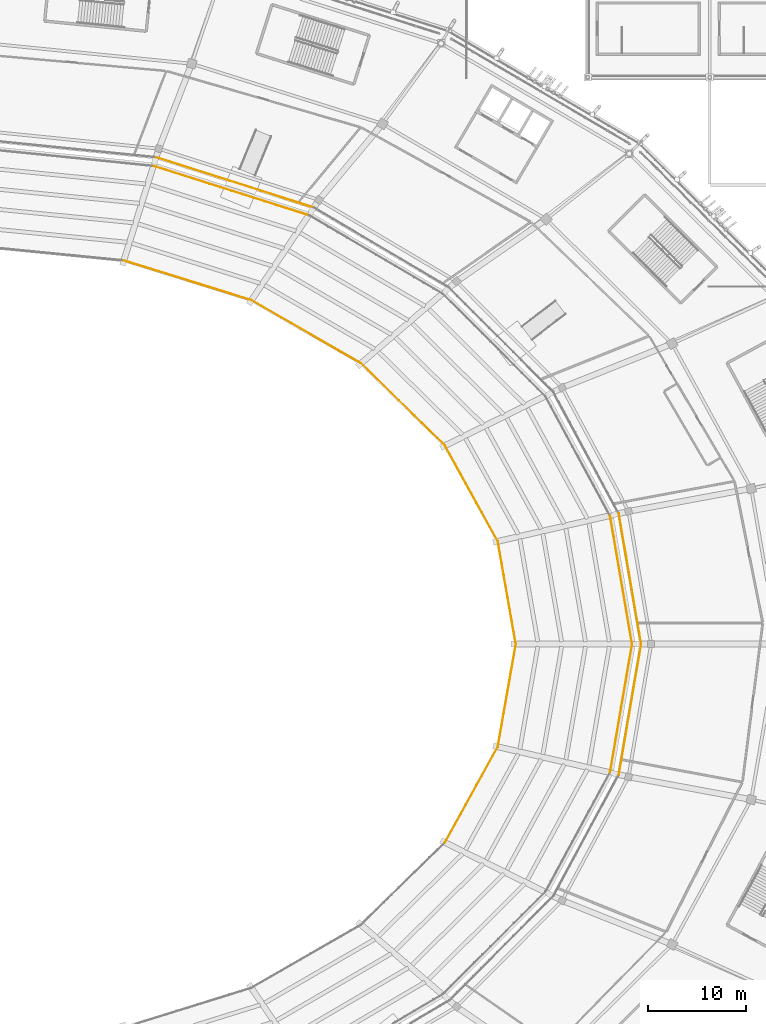
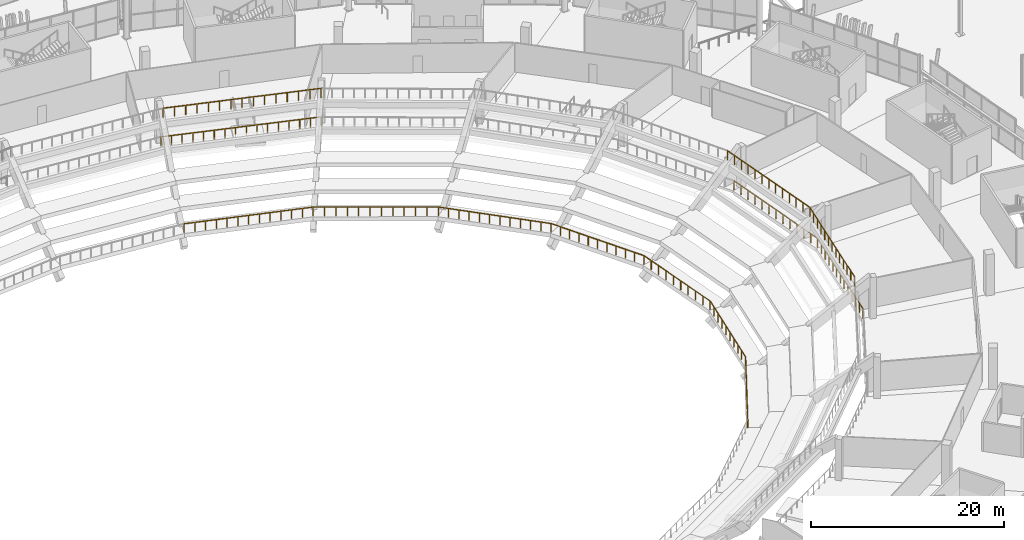
# One storey, part 165 of 178: 13 railings.
"""IFC4 building model written with IfcOpenShell, lengths in metres."""

from ifc_helpers import new_model, si_unit, direction, frame, origin, origin_2d, place, context, subcontext, project, spatial, rectangle, extrude, material, type_object, element, save


model = new_model("IFC4")

# Units and contexts
model_context = context("Model", 3, precision=1e-05, world=origin(), true_north=direction((0.0, 1.0)))
body_context = subcontext(model_context, "Body", "Model", "MODEL_VIEW")
ifc_project = project(units=[si_unit("LENGTHUNIT", "METRE"), si_unit("AREAUNIT", "SQUARE_METRE"), si_unit("VOLUMEUNIT", "CUBIC_METRE"), si_unit("PLANEANGLEUNIT", "RADIAN"), si_unit("MASSUNIT", "GRAM", prefix="KILO")], contexts=[model_context])

# Site, building, storey
site_placement = place(None, origin())
site = spatial("IfcSite", under=ifc_project, at=site_placement, CompositionType="ELEMENT")
building_placement = place(site_placement, origin())
building = spatial("IfcBuilding", under=site, at=building_placement, Name="Zlatoyarsky Gate Stadium", CompositionType="ELEMENT")
storey_placement = place(building_placement, frame((0.0, 0.0, 5.39990234375)))
storey = spatial("IfcBuildingStorey", under=building, at=storey_placement, Name="L01", CompositionType="ELEMENT", Elevation=5.39990234375)

# Railings
ifc_material_1 = material(Name="Galvanised steel sightline guardrail", Category="steel")
railing_type_1 = type_object("IfcRailingType", Name="BOWL FRONT SIGHTLINE GUARDRAIL 1150", PredefinedType="GUARDRAIL", material=ifc_material_1)
railing_1_placement = place(storey_placement, frame((165.14990234375, 80.0, -3.349853515625)))
element("IfcRailing", 1, at=railing_1_placement, inside=storey, type_object=railing_type_1, Name="Lower bowl front guardrail 00", PredefinedType="GUARDRAIL", context=body_context, shape_type="SweptSolid", body=[
    extrude(rectangle(XDim=0.048095703125, YDim=0.048095703125, at=origin_2d()), frame((0.0, 0.0, 1.1259765625), z_axis=(-0.172725175723, 0.984970057246, 0.0), x_axis=(-0.984970057246, -0.172725175723, 0.0)), (0.0, 0.0, 1.0), 10.681640625),
    extrude(rectangle(XDim=0.0419921875, YDim=0.0419921875, at=origin_2d()), origin(), (0.0, 0.0, 1.0), 1.101806640625),
    extrude(rectangle(XDim=0.0419921875, YDim=0.0419921875, at=origin_2d()), frame((-0.205078125, 1.1689453125, 0.0)), (0.0, 0.0, 1.0), 1.101806640625),
    extrude(rectangle(XDim=0.0419921875, YDim=0.0419921875, at=origin_2d()), frame((-0.409912109375, 2.337890625, 0.0)), (0.0, 0.0, 1.0), 1.101806640625),
    extrude(rectangle(XDim=0.0419921875, YDim=0.0419921875, at=origin_2d()), frame((-0.614990234375, 3.507080078125, 0.0)), (0.0, 0.0, 1.0), 1.101806640625),
    extrude(rectangle(XDim=0.0419921875, YDim=0.0419921875, at=origin_2d()), frame((-0.820068359375, 4.676025390625, 0.0)), (0.0, 0.0, 1.0), 1.101806640625),
    extrude(rectangle(XDim=0.0419921875, YDim=0.0419921875, at=origin_2d()), frame((-1.02490234375, 5.844970703125, 0.0)), (0.0, 0.0, 1.0), 1.101806640625),
    extrude(rectangle(XDim=0.0419921875, YDim=0.0419921875, at=origin_2d()), frame((-1.22998046875, 7.013916015625, 0.0)), (0.0, 0.0, 1.0), 1.101806640625),
    extrude(rectangle(XDim=0.0419921875, YDim=0.0419921875, at=origin_2d()), frame((-1.43505859375, 8.18310546875, 0.0)), (0.0, 0.0, 1.0), 1.101806640625),
    extrude(rectangle(XDim=0.0419921875, YDim=0.0419921875, at=origin_2d()), frame((-1.639892578125, 9.35205078125, 0.0)), (0.0, 0.0, 1.0), 1.101806640625),
    extrude(rectangle(XDim=0.0419921875, YDim=0.0419921875, at=origin_2d()), frame((-1.844970703125, 10.52099609375, 0.0)), (0.0, 0.0, 1.0), 1.101806640625),
])
railing_2_placement = place(storey_placement, frame((163.304931640625, 90.52099609375, -3.349853515625)))
element("IfcRailing", 2, at=railing_2_placement, inside=storey, type_object=railing_type_1, Name="Lower bowl front guardrail 01", PredefinedType="GUARDRAIL", context=body_context, shape_type="SweptSolid", body=[
    extrude(rectangle(XDim=0.048095703125, YDim=0.048095703125, at=origin_2d()), frame((0.0, 0.0, 1.1259765625), z_axis=(-0.483117689449, 0.875555422656, 0.0), x_axis=(-0.875555422656, -0.483117689449, 0.0)), (0.0, 0.0, 1.0), 11.197509765625),
    extrude(rectangle(XDim=0.0419921875, YDim=0.0419921875, at=origin_2d()), origin(), (0.0, 0.0, 1.0), 1.101806640625),
    extrude(rectangle(XDim=0.0419921875, YDim=0.0419921875, at=origin_2d()), frame((-0.541015625, 0.98046875, 0.0)), (0.0, 0.0, 1.0), 1.101806640625),
    extrude(rectangle(XDim=0.0419921875, YDim=0.0419921875, at=origin_2d()), frame((-1.08203125, 1.960693359375, 0.0)), (0.0, 0.0, 1.0), 1.101806640625),
    extrude(rectangle(XDim=0.0419921875, YDim=0.0419921875, at=origin_2d()), frame((-1.622802734375, 2.941162109375, 0.0)), (0.0, 0.0, 1.0), 1.101806640625),
    extrude(rectangle(XDim=0.0419921875, YDim=0.0419921875, at=origin_2d()), frame((-2.163818359375, 3.921630859375, 0.0)), (0.0, 0.0, 1.0), 1.101806640625),
    extrude(rectangle(XDim=0.0419921875, YDim=0.0419921875, at=origin_2d()), frame((-2.704833984375, 4.90185546875, 0.0)), (0.0, 0.0, 1.0), 1.101806640625),
    extrude(rectangle(XDim=0.0419921875, YDim=0.0419921875, at=origin_2d()), frame((-3.245849609375, 5.88232421875, 0.0)), (0.0, 0.0, 1.0), 1.101806640625),
    extrude(rectangle(XDim=0.0419921875, YDim=0.0419921875, at=origin_2d()), frame((-3.786865234375, 6.86279296875, 0.0)), (0.0, 0.0, 1.0), 1.101806640625),
    extrude(rectangle(XDim=0.0419921875, YDim=0.0419921875, at=origin_2d()), frame((-4.32763671875, 7.84326171875, 0.0)), (0.0, 0.0, 1.0), 1.101806640625),
    extrude(rectangle(XDim=0.0419921875, YDim=0.0419921875, at=origin_2d()), frame((-4.86865234375, 8.823486328125, 0.0)), (0.0, 0.0, 1.0), 1.101806640625),
    extrude(rectangle(XDim=0.0419921875, YDim=0.0419921875, at=origin_2d()), frame((-5.40966796875, 9.803955078125, 0.0)), (0.0, 0.0, 1.0), 1.101806640625),
])
railing_3_placement = place(storey_placement, frame((157.895263671875, 100.324951171875, -3.349853515625)))
element("IfcRailing", 3, at=railing_3_placement, inside=storey, type_object=railing_type_1, Name="Lower bowl front guardrail 02", PredefinedType="GUARDRAIL", context=body_context, shape_type="SweptSolid", body=[
    extrude(rectangle(XDim=0.048095703125, YDim=0.048095703125, at=origin_2d()), frame((0.0, 0.0, 1.1259765625), z_axis=(-0.714811106108, 0.699317583495, 0.0), x_axis=(-0.699317583495, -0.714811106108, 0.0)), (0.0, 0.0, 1.0), 12.038818359375),
    extrude(rectangle(XDim=0.0419921875, YDim=0.0419921875, at=origin_2d()), origin(), (0.0, 0.0, 1.0), 1.101806640625),
    extrude(rectangle(XDim=0.0419921875, YDim=0.0419921875, at=origin_2d()), frame((-0.7822265625, 0.765380859375, 0.0)), (0.0, 0.0, 1.0), 1.101806640625),
    extrude(rectangle(XDim=0.0419921875, YDim=0.0419921875, at=origin_2d()), frame((-1.564697265625, 1.53076171875, 0.0)), (0.0, 0.0, 1.0), 1.101806640625),
    extrude(rectangle(XDim=0.0419921875, YDim=0.0419921875, at=origin_2d()), frame((-2.346923828125, 2.296142578125, 0.0)), (0.0, 0.0, 1.0), 1.101806640625),
    extrude(rectangle(XDim=0.0419921875, YDim=0.0419921875, at=origin_2d()), frame((-3.129150390625, 3.0615234375, 0.0)), (0.0, 0.0, 1.0), 1.101806640625),
    extrude(rectangle(XDim=0.0419921875, YDim=0.0419921875, at=origin_2d()), frame((-3.91162109375, 3.826904296875, 0.0)), (0.0, 0.0, 1.0), 1.101806640625),
    extrude(rectangle(XDim=0.0419921875, YDim=0.0419921875, at=origin_2d()), frame((-4.69384765625, 4.592041015625, 0.0)), (0.0, 0.0, 1.0), 1.101806640625),
    extrude(rectangle(XDim=0.0419921875, YDim=0.0419921875, at=origin_2d()), frame((-5.476318359375, 5.357421875, 0.0)), (0.0, 0.0, 1.0), 1.101806640625),
    extrude(rectangle(XDim=0.0419921875, YDim=0.0419921875, at=origin_2d()), frame((-6.258544921875, 6.122802734375, 0.0)), (0.0, 0.0, 1.0), 1.101806640625),
    extrude(rectangle(XDim=0.0419921875, YDim=0.0419921875, at=origin_2d()), frame((-7.040771484375, 6.88818359375, 0.0)), (0.0, 0.0, 1.0), 1.101806640625),
    extrude(rectangle(XDim=0.0419921875, YDim=0.0419921875, at=origin_2d()), frame((-7.8232421875, 7.653564453125, 0.0)), (0.0, 0.0, 1.0), 1.101806640625),
    extrude(rectangle(XDim=0.0419921875, YDim=0.0419921875, at=origin_2d()), frame((-8.60546875, 8.4189453125, 0.0)), (0.0, 0.0, 1.0), 1.101806640625),
])
railing_4_placement = place(storey_placement, frame((149.289794921875, 108.743896484375, -3.349853515625)))
element("IfcRailing", 4, at=railing_4_placement, inside=storey, type_object=railing_type_1, Name="Lower bowl front guardrail 03", PredefinedType="GUARDRAIL", context=body_context, shape_type="SweptSolid", body=[
    extrude(rectangle(XDim=0.048095703125, YDim=0.048095703125, at=origin_2d()), frame((0.0, 0.0, 1.1259765625), z_axis=(-0.866524556925, 0.499134443057, 0.0), x_axis=(-0.499134443057, -0.866524556925, 0.0)), (0.0, 0.0, 1.0), 12.9423828125),
    extrude(rectangle(XDim=0.0419921875, YDim=0.0419921875, at=origin_2d()), origin(), (0.0, 0.0, 1.0), 1.101806640625),
    extrude(rectangle(XDim=0.0419921875, YDim=0.0419921875, at=origin_2d()), frame((-1.01953125, 0.587158203125, 0.0)), (0.0, 0.0, 1.0), 1.101806640625),
    extrude(rectangle(XDim=0.0419921875, YDim=0.0419921875, at=origin_2d()), frame((-2.0390625, 1.174560546875, 0.0)), (0.0, 0.0, 1.0), 1.101806640625),
    extrude(rectangle(XDim=0.0419921875, YDim=0.0419921875, at=origin_2d()), frame((-3.05859375, 1.76171875, 0.0)), (0.0, 0.0, 1.0), 1.101806640625),
    extrude(rectangle(XDim=0.0419921875, YDim=0.0419921875, at=origin_2d()), frame((-4.078125, 2.34912109375, 0.0)), (0.0, 0.0, 1.0), 1.101806640625),
    extrude(rectangle(XDim=0.0419921875, YDim=0.0419921875, at=origin_2d()), frame((-5.09765625, 2.936279296875, 0.0)), (0.0, 0.0, 1.0), 1.101806640625),
    extrude(rectangle(XDim=0.0419921875, YDim=0.0419921875, at=origin_2d()), frame((-6.1171875, 3.523681640625, 0.0)), (0.0, 0.0, 1.0), 1.101806640625),
    extrude(rectangle(XDim=0.0419921875, YDim=0.0419921875, at=origin_2d()), frame((-7.13671875, 4.11083984375, 0.0)), (0.0, 0.0, 1.0), 1.101806640625),
    extrude(rectangle(XDim=0.0419921875, YDim=0.0419921875, at=origin_2d()), frame((-8.15625, 4.6982421875, 0.0)), (0.0, 0.0, 1.0), 1.101806640625),
    extrude(rectangle(XDim=0.0419921875, YDim=0.0419921875, at=origin_2d()), frame((-9.17578125, 5.285400390625, 0.0)), (0.0, 0.0, 1.0), 1.101806640625),
    extrude(rectangle(XDim=0.0419921875, YDim=0.0419921875, at=origin_2d()), frame((-10.1953125, 5.872802734375, 0.0)), (0.0, 0.0, 1.0), 1.101806640625),
    extrude(rectangle(XDim=0.0419921875, YDim=0.0419921875, at=origin_2d()), frame((-11.21484375, 6.4599609375, 0.0)), (0.0, 0.0, 1.0), 1.101806640625),
])
railing_5_placement = place(storey_placement, frame((138.074951171875, 115.203857421875, -3.349853515625)))
element("IfcRailing", 5, at=railing_5_placement, inside=storey, type_object=railing_type_1, Name="Lower bowl front guardrail 04", PredefinedType="GUARDRAIL", context=body_context, shape_type="SweptSolid", body=[
    extrude(rectangle(XDim=0.048095703125, YDim=0.048095703125, at=origin_2d()), frame((0.0, 0.0, 1.1259765625), z_axis=(-0.954898625262, 0.296932004797, 0.0), x_axis=(-0.296932004797, -0.954898625262, 0.0)), (0.0, 0.0, 1.0), 13.6767578125),
    extrude(rectangle(XDim=0.0419921875, YDim=0.0419921875, at=origin_2d()), origin(), (0.0, 0.0, 1.0), 1.101806640625),
    extrude(rectangle(XDim=0.0419921875, YDim=0.0419921875, at=origin_2d()), frame((-1.08837890625, 0.33837890625, 0.0)), (0.0, 0.0, 1.0), 1.101806640625),
    extrude(rectangle(XDim=0.0419921875, YDim=0.0419921875, at=origin_2d()), frame((-2.1767578125, 0.6767578125, 0.0)), (0.0, 0.0, 1.0), 1.101806640625),
    extrude(rectangle(XDim=0.0419921875, YDim=0.0419921875, at=origin_2d()), frame((-3.264892578125, 1.01513671875, 0.0)), (0.0, 0.0, 1.0), 1.101806640625),
    extrude(rectangle(XDim=0.0419921875, YDim=0.0419921875, at=origin_2d()), frame((-4.353271484375, 1.353759765625, 0.0)), (0.0, 0.0, 1.0), 1.101806640625),
    extrude(rectangle(XDim=0.0419921875, YDim=0.0419921875, at=origin_2d()), frame((-5.441650390625, 1.692138671875, 0.0)), (0.0, 0.0, 1.0), 1.101806640625),
    extrude(rectangle(XDim=0.0419921875, YDim=0.0419921875, at=origin_2d()), frame((-6.52978515625, 2.030517578125, 0.0)), (0.0, 0.0, 1.0), 1.101806640625),
    extrude(rectangle(XDim=0.0419921875, YDim=0.0419921875, at=origin_2d()), frame((-7.6181640625, 2.368896484375, 0.0)), (0.0, 0.0, 1.0), 1.101806640625),
    extrude(rectangle(XDim=0.0419921875, YDim=0.0419921875, at=origin_2d()), frame((-8.70654296875, 2.707275390625, 0.0)), (0.0, 0.0, 1.0), 1.101806640625),
    extrude(rectangle(XDim=0.0419921875, YDim=0.0419921875, at=origin_2d()), frame((-9.794921875, 3.0458984375, 0.0)), (0.0, 0.0, 1.0), 1.101806640625),
    extrude(rectangle(XDim=0.0419921875, YDim=0.0419921875, at=origin_2d()), frame((-10.88330078125, 3.38427734375, 0.0)), (0.0, 0.0, 1.0), 1.101806640625),
    extrude(rectangle(XDim=0.0419921875, YDim=0.0419921875, at=origin_2d()), frame((-11.971435546875, 3.72265625, 0.0)), (0.0, 0.0, 1.0), 1.101806640625),
    extrude(rectangle(XDim=0.0419921875, YDim=0.0419921875, at=origin_2d()), frame((-13.059814453125, 4.06103515625, 0.0)), (0.0, 0.0, 1.0), 1.101806640625),
])
railing_6_placement = place(storey_placement, frame((157.895263671875, 59.675048828125, -3.349853515625)))
element("IfcRailing", 6, at=railing_6_placement, inside=storey, type_object=railing_type_1, Name="Lower bowl front guardrail 22", PredefinedType="GUARDRAIL", context=body_context, shape_type="SweptSolid", body=[
    extrude(rectangle(XDim=0.048095703125, YDim=0.048095703125, at=origin_2d()), frame((0.0, 0.0, 1.1259765625), z_axis=(0.483117689449, 0.875555422656, 0.0), x_axis=(-0.875555422656, 0.483117689449, 0.0)), (0.0, 0.0, 1.0), 11.197509765625),
    extrude(rectangle(XDim=0.0419921875, YDim=0.0419921875, at=origin_2d()), origin(), (0.0, 0.0, 1.0), 1.101806640625),
    extrude(rectangle(XDim=0.0419921875, YDim=0.0419921875, at=origin_2d()), frame((0.541015625, 0.98046875, 0.0)), (0.0, 0.0, 1.0), 1.101806640625),
    extrude(rectangle(XDim=0.0419921875, YDim=0.0419921875, at=origin_2d()), frame((1.08203125, 1.960693359375, 0.0)), (0.0, 0.0, 1.0), 1.101806640625),
    extrude(rectangle(XDim=0.0419921875, YDim=0.0419921875, at=origin_2d()), frame((1.622802734375, 2.941162109375, 0.0)), (0.0, 0.0, 1.0), 1.101806640625),
    extrude(rectangle(XDim=0.0419921875, YDim=0.0419921875, at=origin_2d()), frame((2.163818359375, 3.921630859375, 0.0)), (0.0, 0.0, 1.0), 1.101806640625),
    extrude(rectangle(XDim=0.0419921875, YDim=0.0419921875, at=origin_2d()), frame((2.704833984375, 4.90185546875, 0.0)), (0.0, 0.0, 1.0), 1.101806640625),
    extrude(rectangle(XDim=0.0419921875, YDim=0.0419921875, at=origin_2d()), frame((3.245849609375, 5.88232421875, 0.0)), (0.0, 0.0, 1.0), 1.101806640625),
    extrude(rectangle(XDim=0.0419921875, YDim=0.0419921875, at=origin_2d()), frame((3.786865234375, 6.86279296875, 0.0)), (0.0, 0.0, 1.0), 1.101806640625),
    extrude(rectangle(XDim=0.0419921875, YDim=0.0419921875, at=origin_2d()), frame((4.32763671875, 7.84326171875, 0.0)), (0.0, 0.0, 1.0), 1.101806640625),
    extrude(rectangle(XDim=0.0419921875, YDim=0.0419921875, at=origin_2d()), frame((4.86865234375, 8.823486328125, 0.0)), (0.0, 0.0, 1.0), 1.101806640625),
    extrude(rectangle(XDim=0.0419921875, YDim=0.0419921875, at=origin_2d()), frame((5.40966796875, 9.803955078125, 0.0)), (0.0, 0.0, 1.0), 1.101806640625),
])
railing_7_placement = place(storey_placement, frame((163.304931640625, 69.47900390625, -3.349853515625)))
element("IfcRailing", 7, at=railing_7_placement, inside=storey, type_object=railing_type_1, Name="Lower bowl front guardrail 23", PredefinedType="GUARDRAIL", context=body_context, shape_type="SweptSolid", body=[
    extrude(rectangle(XDim=0.048095703125, YDim=0.048095703125, at=origin_2d()), frame((0.0, 0.0, 1.1259765625), z_axis=(0.172725175723, 0.984970057246, 0.0), x_axis=(-0.984970057246, 0.172725175723, 0.0)), (0.0, 0.0, 1.0), 10.681640625),
    extrude(rectangle(XDim=0.0419921875, YDim=0.0419921875, at=origin_2d()), origin(), (0.0, 0.0, 1.0), 1.101806640625),
    extrude(rectangle(XDim=0.0419921875, YDim=0.0419921875, at=origin_2d()), frame((0.205078125, 1.1689453125, 0.0)), (0.0, 0.0, 1.0), 1.101806640625),
    extrude(rectangle(XDim=0.0419921875, YDim=0.0419921875, at=origin_2d()), frame((0.409912109375, 2.337890625, 0.0)), (0.0, 0.0, 1.0), 1.101806640625),
    extrude(rectangle(XDim=0.0419921875, YDim=0.0419921875, at=origin_2d()), frame((0.614990234375, 3.507080078125, 0.0)), (0.0, 0.0, 1.0), 1.101806640625),
    extrude(rectangle(XDim=0.0419921875, YDim=0.0419921875, at=origin_2d()), frame((0.820068359375, 4.676025390625, 0.0)), (0.0, 0.0, 1.0), 1.101806640625),
    extrude(rectangle(XDim=0.0419921875, YDim=0.0419921875, at=origin_2d()), frame((1.02490234375, 5.844970703125, 0.0)), (0.0, 0.0, 1.0), 1.101806640625),
    extrude(rectangle(XDim=0.0419921875, YDim=0.0419921875, at=origin_2d()), frame((1.22998046875, 7.013916015625, 0.0)), (0.0, 0.0, 1.0), 1.101806640625),
    extrude(rectangle(XDim=0.0419921875, YDim=0.0419921875, at=origin_2d()), frame((1.43505859375, 8.18310546875, 0.0)), (0.0, 0.0, 1.0), 1.101806640625),
    extrude(rectangle(XDim=0.0419921875, YDim=0.0419921875, at=origin_2d()), frame((1.639892578125, 9.35205078125, 0.0)), (0.0, 0.0, 1.0), 1.101806640625),
    extrude(rectangle(XDim=0.0419921875, YDim=0.0419921875, at=origin_2d()), frame((1.844970703125, 10.52099609375, 0.0)), (0.0, 0.0, 1.0), 1.101806640625),
])
ifc_material_2 = material(Name="Powder-coated steel tubular guardrail", Category="steel")
railing_type_2 = type_object("IfcRailingType", Name="CONCOURSE SLAB EDGE GUARDRAIL 1200", PredefinedType="GUARDRAIL", material=ifc_material_2)
railing_8_placement = place(storey_placement, frame((177.050048828125, 80.0, 4.25)))
element("IfcRailing", 8, at=railing_8_placement, inside=storey, type_object=railing_type_2, Name="Lower bowl back guardrail 00", PredefinedType="GUARDRAIL", context=body_context, shape_type="SweptSolid", body=[
    extrude(rectangle(XDim=0.048095703125, YDim=0.048095703125, at=origin_2d()), frame((0.0, 0.0, 1.17578125), z_axis=(-0.169215992546, 0.985578991186, 0.0), x_axis=(-0.985578991186, -0.169215992546, 0.0)), (0.0, 0.0, 1.0), 13.301025390625),
    extrude(rectangle(XDim=0.0419921875, YDim=0.0419921875, at=origin_2d()), origin(), (0.0, 0.0, 1.0), 1.15185546875),
    extrude(rectangle(XDim=0.0419921875, YDim=0.0419921875, at=origin_2d()), frame((-0.1875, 1.092529296875, 0.0)), (0.0, 0.0, 1.0), 1.15185546875),
    extrude(rectangle(XDim=0.0419921875, YDim=0.0419921875, at=origin_2d()), frame((-0.375, 2.184814453125, 0.0)), (0.0, 0.0, 1.0), 1.15185546875),
    extrude(rectangle(XDim=0.0419921875, YDim=0.0419921875, at=origin_2d()), frame((-0.562744140625, 3.27734375, 0.0)), (0.0, 0.0, 1.0), 1.15185546875),
    extrude(rectangle(XDim=0.0419921875, YDim=0.0419921875, at=origin_2d()), frame((-0.750244140625, 4.36962890625, 0.0)), (0.0, 0.0, 1.0), 1.15185546875),
    extrude(rectangle(XDim=0.0419921875, YDim=0.0419921875, at=origin_2d()), frame((-0.937744140625, 5.462158203125, 0.0)), (0.0, 0.0, 1.0), 1.15185546875),
    extrude(rectangle(XDim=0.0419921875, YDim=0.0419921875, at=origin_2d()), frame((-1.12548828125, 6.5546875, 0.0)), (0.0, 0.0, 1.0), 1.15185546875),
    extrude(rectangle(XDim=0.0419921875, YDim=0.0419921875, at=origin_2d()), frame((-1.31298828125, 7.64697265625, 0.0)), (0.0, 0.0, 1.0), 1.15185546875),
    extrude(rectangle(XDim=0.0419921875, YDim=0.0419921875, at=origin_2d()), frame((-1.50048828125, 8.739501953125, 0.0)), (0.0, 0.0, 1.0), 1.15185546875),
    extrude(rectangle(XDim=0.0419921875, YDim=0.0419921875, at=origin_2d()), frame((-1.68798828125, 9.831787109375, 0.0)), (0.0, 0.0, 1.0), 1.15185546875),
    extrude(rectangle(XDim=0.0419921875, YDim=0.0419921875, at=origin_2d()), frame((-1.87548828125, 10.92431640625, 0.0)), (0.0, 0.0, 1.0), 1.15185546875),
    extrude(rectangle(XDim=0.0419921875, YDim=0.0419921875, at=origin_2d()), frame((-2.063232421875, 12.0166015625, 0.0)), (0.0, 0.0, 1.0), 1.15185546875),
    extrude(rectangle(XDim=0.0419921875, YDim=0.0419921875, at=origin_2d()), frame((-2.250732421875, 13.109130859375, 0.0)), (0.0, 0.0, 1.0), 1.15185546875),
])
railing_9_placement = place(storey_placement, frame((177.97998046875, 80.0, 0.0)))
element("IfcRailing", 9, at=railing_9_placement, inside=storey, type_object=railing_type_2, Name="L01 inner bowl edge guardrail 00", PredefinedType="GUARDRAIL", context=body_context, shape_type="SweptSolid", body=[
    extrude(rectangle(XDim=0.048095703125, YDim=0.048095703125, at=origin_2d()), frame((0.0, 0.0, 1.17578125), z_axis=(-0.168510493397, 0.985699859803, 0.0), x_axis=(-0.985699859803, -0.168510493397, 0.0)), (0.0, 0.0, 1.0), 13.54345703125),
    extrude(rectangle(XDim=0.0419921875, YDim=0.0419921875, at=origin_2d()), origin(), (0.0, 0.0, 1.0), 1.15185546875),
    extrude(rectangle(XDim=0.0419921875, YDim=0.0419921875, at=origin_2d()), frame((-0.190185546875, 1.112548828125, 0.0)), (0.0, 0.0, 1.0), 1.15185546875),
    extrude(rectangle(XDim=0.0419921875, YDim=0.0419921875, at=origin_2d()), frame((-0.38037109375, 2.22509765625, 0.0)), (0.0, 0.0, 1.0), 1.15185546875),
    extrude(rectangle(XDim=0.0419921875, YDim=0.0419921875, at=origin_2d()), frame((-0.570556640625, 3.33740234375, 0.0)), (0.0, 0.0, 1.0), 1.15185546875),
    extrude(rectangle(XDim=0.0419921875, YDim=0.0419921875, at=origin_2d()), frame((-0.7607421875, 4.449951171875, 0.0)), (0.0, 0.0, 1.0), 1.15185546875),
    extrude(rectangle(XDim=0.0419921875, YDim=0.0419921875, at=origin_2d()), frame((-0.950927734375, 5.5625, 0.0)), (0.0, 0.0, 1.0), 1.15185546875),
    extrude(rectangle(XDim=0.0419921875, YDim=0.0419921875, at=origin_2d()), frame((-1.14111328125, 6.6748046875, 0.0)), (0.0, 0.0, 1.0), 1.15185546875),
    extrude(rectangle(XDim=0.0419921875, YDim=0.0419921875, at=origin_2d()), frame((-1.331298828125, 7.787353515625, 0.0)), (0.0, 0.0, 1.0), 1.15185546875),
    extrude(rectangle(XDim=0.0419921875, YDim=0.0419921875, at=origin_2d()), frame((-1.521484375, 8.89990234375, 0.0)), (0.0, 0.0, 1.0), 1.15185546875),
    extrude(rectangle(XDim=0.0419921875, YDim=0.0419921875, at=origin_2d()), frame((-1.711669921875, 10.012451171875, 0.0)), (0.0, 0.0, 1.0), 1.15185546875),
    extrude(rectangle(XDim=0.0419921875, YDim=0.0419921875, at=origin_2d()), frame((-1.90185546875, 11.125, 0.0)), (0.0, 0.0, 1.0), 1.15185546875),
    extrude(rectangle(XDim=0.0419921875, YDim=0.0419921875, at=origin_2d()), frame((-2.092041015625, 12.2373046875, 0.0)), (0.0, 0.0, 1.0), 1.15185546875),
    extrude(rectangle(XDim=0.0419921875, YDim=0.0419921875, at=origin_2d()), frame((-2.2822265625, 13.349853515625, 0.0)), (0.0, 0.0, 1.0), 1.15185546875),
])
railing_10_placement = place(storey_placement, frame((144.02490234375, 123.8642578125, 4.25)))
element("IfcRailing", 10, at=railing_10_placement, inside=storey, type_object=railing_type_2, Name="Lower bowl back guardrail 04", PredefinedType="GUARDRAIL", context=body_context, shape_type="SweptSolid", body=[
    extrude(rectangle(XDim=0.048095703125, YDim=0.048095703125, at=origin_2d()), frame((0.0, 0.0, 1.17578125), z_axis=(-0.953077784344, 0.302725514269, 0.0), x_axis=(-0.302725514269, -0.953077784344, 0.0)), (0.0, 0.0, 1.0), 16.714111328125),
    extrude(rectangle(XDim=0.0419921875, YDim=0.0419921875, at=origin_2d()), origin(), (0.0, 0.0, 1.0), 1.15185546875),
    extrude(rectangle(XDim=0.0419921875, YDim=0.0419921875, at=origin_2d()), frame((-1.137939453125, 0.361328125, 0.0)), (0.0, 0.0, 1.0), 1.15185546875),
    extrude(rectangle(XDim=0.0419921875, YDim=0.0419921875, at=origin_2d()), frame((-2.275634765625, 0.722900390625, 0.0)), (0.0, 0.0, 1.0), 1.15185546875),
    extrude(rectangle(XDim=0.0419921875, YDim=0.0419921875, at=origin_2d()), frame((-3.41357421875, 1.084228515625, 0.0)), (0.0, 0.0, 1.0), 1.15185546875),
    extrude(rectangle(XDim=0.0419921875, YDim=0.0419921875, at=origin_2d()), frame((-4.551513671875, 1.445556640625, 0.0)), (0.0, 0.0, 1.0), 1.15185546875),
    extrude(rectangle(XDim=0.0419921875, YDim=0.0419921875, at=origin_2d()), frame((-5.689208984375, 1.80712890625, 0.0)), (0.0, 0.0, 1.0), 1.15185546875),
    extrude(rectangle(XDim=0.0419921875, YDim=0.0419921875, at=origin_2d()), frame((-6.8271484375, 2.16845703125, 0.0)), (0.0, 0.0, 1.0), 1.15185546875),
    extrude(rectangle(XDim=0.0419921875, YDim=0.0419921875, at=origin_2d()), frame((-7.96484375, 2.52978515625, 0.0)), (0.0, 0.0, 1.0), 1.15185546875),
    extrude(rectangle(XDim=0.0419921875, YDim=0.0419921875, at=origin_2d()), frame((-9.102783203125, 2.891357421875, 0.0)), (0.0, 0.0, 1.0), 1.15185546875),
    extrude(rectangle(XDim=0.0419921875, YDim=0.0419921875, at=origin_2d()), frame((-10.24072265625, 3.252685546875, 0.0)), (0.0, 0.0, 1.0), 1.15185546875),
    extrude(rectangle(XDim=0.0419921875, YDim=0.0419921875, at=origin_2d()), frame((-11.37841796875, 3.6142578125, 0.0)), (0.0, 0.0, 1.0), 1.15185546875),
    extrude(rectangle(XDim=0.0419921875, YDim=0.0419921875, at=origin_2d()), frame((-12.516357421875, 3.9755859375, 0.0)), (0.0, 0.0, 1.0), 1.15185546875),
    extrude(rectangle(XDim=0.0419921875, YDim=0.0419921875, at=origin_2d()), frame((-13.654296875, 4.3369140625, 0.0)), (0.0, 0.0, 1.0), 1.15185546875),
    extrude(rectangle(XDim=0.0419921875, YDim=0.0419921875, at=origin_2d()), frame((-14.7919921875, 4.698486328125, 0.0)), (0.0, 0.0, 1.0), 1.15185546875),
    extrude(rectangle(XDim=0.0419921875, YDim=0.0419921875, at=origin_2d()), frame((-15.929931640625, 5.059814453125, 0.0)), (0.0, 0.0, 1.0), 1.15185546875),
])
railing_11_placement = place(storey_placement, frame((144.489990234375, 124.669677734375, 0.0)))
element("IfcRailing", 11, at=railing_11_placement, inside=storey, type_object=railing_type_2, Name="L01 inner bowl edge guardrail 04", PredefinedType="GUARDRAIL", context=body_context, shape_type="SweptSolid", body=[
    extrude(rectangle(XDim=0.048095703125, YDim=0.048095703125, at=origin_2d()), frame((0.0, 0.0, 1.17578125), z_axis=(-0.952706937482, 0.303890590958, 0.0), x_axis=(-0.303890590958, -0.952706937482, 0.0)), (0.0, 0.0, 1.0), 16.956298828125),
    extrude(rectangle(XDim=0.0419921875, YDim=0.0419921875, at=origin_2d()), origin(), (0.0, 0.0, 1.0), 1.15185546875),
    extrude(rectangle(XDim=0.0419921875, YDim=0.0419921875, at=origin_2d()), frame((-1.076904296875, 0.343505859375, 0.0)), (0.0, 0.0, 1.0), 1.15185546875),
    extrude(rectangle(XDim=0.0419921875, YDim=0.0419921875, at=origin_2d()), frame((-2.15380859375, 0.68701171875, 0.0)), (0.0, 0.0, 1.0), 1.15185546875),
    extrude(rectangle(XDim=0.0419921875, YDim=0.0419921875, at=origin_2d()), frame((-3.23095703125, 1.030517578125, 0.0)), (0.0, 0.0, 1.0), 1.15185546875),
    extrude(rectangle(XDim=0.0419921875, YDim=0.0419921875, at=origin_2d()), frame((-4.307861328125, 1.3740234375, 0.0)), (0.0, 0.0, 1.0), 1.15185546875),
    extrude(rectangle(XDim=0.0419921875, YDim=0.0419921875, at=origin_2d()), frame((-5.384765625, 1.717529296875, 0.0)), (0.0, 0.0, 1.0), 1.15185546875),
    extrude(rectangle(XDim=0.0419921875, YDim=0.0419921875, at=origin_2d()), frame((-6.461669921875, 2.06103515625, 0.0)), (0.0, 0.0, 1.0), 1.15185546875),
    extrude(rectangle(XDim=0.0419921875, YDim=0.0419921875, at=origin_2d()), frame((-7.53857421875, 2.404541015625, 0.0)), (0.0, 0.0, 1.0), 1.15185546875),
    extrude(rectangle(XDim=0.0419921875, YDim=0.0419921875, at=origin_2d()), frame((-8.61572265625, 2.748291015625, 0.0)), (0.0, 0.0, 1.0), 1.15185546875),
    extrude(rectangle(XDim=0.0419921875, YDim=0.0419921875, at=origin_2d()), frame((-9.692626953125, 3.091796875, 0.0)), (0.0, 0.0, 1.0), 1.15185546875),
    extrude(rectangle(XDim=0.0419921875, YDim=0.0419921875, at=origin_2d()), frame((-10.76953125, 3.435302734375, 0.0)), (0.0, 0.0, 1.0), 1.15185546875),
    extrude(rectangle(XDim=0.0419921875, YDim=0.0419921875, at=origin_2d()), frame((-11.846435546875, 3.77880859375, 0.0)), (0.0, 0.0, 1.0), 1.15185546875),
    extrude(rectangle(XDim=0.0419921875, YDim=0.0419921875, at=origin_2d()), frame((-12.92333984375, 4.122314453125, 0.0)), (0.0, 0.0, 1.0), 1.15185546875),
    extrude(rectangle(XDim=0.0419921875, YDim=0.0419921875, at=origin_2d()), frame((-14.00048828125, 4.4658203125, 0.0)), (0.0, 0.0, 1.0), 1.15185546875),
    extrude(rectangle(XDim=0.0419921875, YDim=0.0419921875, at=origin_2d()), frame((-15.077392578125, 4.809326171875, 0.0)), (0.0, 0.0, 1.0), 1.15185546875),
    extrude(rectangle(XDim=0.0419921875, YDim=0.0419921875, at=origin_2d()), frame((-16.154296875, 5.15283203125, 0.0)), (0.0, 0.0, 1.0), 1.15185546875),
])
railing_12_placement = place(storey_placement, frame((174.79931640625, 66.890869140625, 4.25)))
element("IfcRailing", 12, at=railing_12_placement, inside=storey, type_object=railing_type_2, Name="Lower bowl back guardrail 23", PredefinedType="GUARDRAIL", context=body_context, shape_type="SweptSolid", body=[
    extrude(rectangle(XDim=0.048095703125, YDim=0.048095703125, at=origin_2d()), frame((0.0, 0.0, 1.17578125), z_axis=(0.169215992546, 0.985578991186, 0.0), x_axis=(-0.985578991186, 0.169215992546, 0.0)), (0.0, 0.0, 1.0), 13.301025390625),
    extrude(rectangle(XDim=0.0419921875, YDim=0.0419921875, at=origin_2d()), origin(), (0.0, 0.0, 1.0), 1.15185546875),
    extrude(rectangle(XDim=0.0419921875, YDim=0.0419921875, at=origin_2d()), frame((0.1875, 1.092529296875, 0.0)), (0.0, 0.0, 1.0), 1.15185546875),
    extrude(rectangle(XDim=0.0419921875, YDim=0.0419921875, at=origin_2d()), frame((0.375, 2.184814453125, 0.0)), (0.0, 0.0, 1.0), 1.15185546875),
    extrude(rectangle(XDim=0.0419921875, YDim=0.0419921875, at=origin_2d()), frame((0.562744140625, 3.27734375, 0.0)), (0.0, 0.0, 1.0), 1.15185546875),
    extrude(rectangle(XDim=0.0419921875, YDim=0.0419921875, at=origin_2d()), frame((0.750244140625, 4.36962890625, 0.0)), (0.0, 0.0, 1.0), 1.15185546875),
    extrude(rectangle(XDim=0.0419921875, YDim=0.0419921875, at=origin_2d()), frame((0.937744140625, 5.462158203125, 0.0)), (0.0, 0.0, 1.0), 1.15185546875),
    extrude(rectangle(XDim=0.0419921875, YDim=0.0419921875, at=origin_2d()), frame((1.12548828125, 6.5546875, 0.0)), (0.0, 0.0, 1.0), 1.15185546875),
    extrude(rectangle(XDim=0.0419921875, YDim=0.0419921875, at=origin_2d()), frame((1.31298828125, 7.64697265625, 0.0)), (0.0, 0.0, 1.0), 1.15185546875),
    extrude(rectangle(XDim=0.0419921875, YDim=0.0419921875, at=origin_2d()), frame((1.50048828125, 8.739501953125, 0.0)), (0.0, 0.0, 1.0), 1.15185546875),
    extrude(rectangle(XDim=0.0419921875, YDim=0.0419921875, at=origin_2d()), frame((1.68798828125, 9.831787109375, 0.0)), (0.0, 0.0, 1.0), 1.15185546875),
    extrude(rectangle(XDim=0.0419921875, YDim=0.0419921875, at=origin_2d()), frame((1.87548828125, 10.92431640625, 0.0)), (0.0, 0.0, 1.0), 1.15185546875),
    extrude(rectangle(XDim=0.0419921875, YDim=0.0419921875, at=origin_2d()), frame((2.063232421875, 12.0166015625, 0.0)), (0.0, 0.0, 1.0), 1.15185546875),
    extrude(rectangle(XDim=0.0419921875, YDim=0.0419921875, at=origin_2d()), frame((2.250732421875, 13.109130859375, 0.0)), (0.0, 0.0, 1.0), 1.15185546875),
])
railing_13_placement = place(storey_placement, frame((175.69775390625, 66.650146484375, 0.0)))
element("IfcRailing", 13, at=railing_13_placement, inside=storey, type_object=railing_type_2, Name="L01 inner bowl edge guardrail 23", PredefinedType="GUARDRAIL", context=body_context, shape_type="SweptSolid", body=[
    extrude(rectangle(XDim=0.048095703125, YDim=0.048095703125, at=origin_2d()), frame((0.0, 0.0, 1.17578125), z_axis=(0.168510493397, 0.985699859803, 0.0), x_axis=(-0.985699859803, 0.168510493397, 0.0)), (0.0, 0.0, 1.0), 13.54345703125),
    extrude(rectangle(XDim=0.0419921875, YDim=0.0419921875, at=origin_2d()), origin(), (0.0, 0.0, 1.0), 1.15185546875),
    extrude(rectangle(XDim=0.0419921875, YDim=0.0419921875, at=origin_2d()), frame((0.190185546875, 1.112548828125, 0.0)), (0.0, 0.0, 1.0), 1.15185546875),
    extrude(rectangle(XDim=0.0419921875, YDim=0.0419921875, at=origin_2d()), frame((0.38037109375, 2.22509765625, 0.0)), (0.0, 0.0, 1.0), 1.15185546875),
    extrude(rectangle(XDim=0.0419921875, YDim=0.0419921875, at=origin_2d()), frame((0.570556640625, 3.33740234375, 0.0)), (0.0, 0.0, 1.0), 1.15185546875),
    extrude(rectangle(XDim=0.0419921875, YDim=0.0419921875, at=origin_2d()), frame((0.7607421875, 4.449951171875, 0.0)), (0.0, 0.0, 1.0), 1.15185546875),
    extrude(rectangle(XDim=0.0419921875, YDim=0.0419921875, at=origin_2d()), frame((0.950927734375, 5.5625, 0.0)), (0.0, 0.0, 1.0), 1.15185546875),
    extrude(rectangle(XDim=0.0419921875, YDim=0.0419921875, at=origin_2d()), frame((1.14111328125, 6.6748046875, 0.0)), (0.0, 0.0, 1.0), 1.15185546875),
    extrude(rectangle(XDim=0.0419921875, YDim=0.0419921875, at=origin_2d()), frame((1.331298828125, 7.787353515625, 0.0)), (0.0, 0.0, 1.0), 1.15185546875),
    extrude(rectangle(XDim=0.0419921875, YDim=0.0419921875, at=origin_2d()), frame((1.521484375, 8.89990234375, 0.0)), (0.0, 0.0, 1.0), 1.15185546875),
    extrude(rectangle(XDim=0.0419921875, YDim=0.0419921875, at=origin_2d()), frame((1.711669921875, 10.012451171875, 0.0)), (0.0, 0.0, 1.0), 1.15185546875),
    extrude(rectangle(XDim=0.0419921875, YDim=0.0419921875, at=origin_2d()), frame((1.90185546875, 11.125, 0.0)), (0.0, 0.0, 1.0), 1.15185546875),
    extrude(rectangle(XDim=0.0419921875, YDim=0.0419921875, at=origin_2d()), frame((2.092041015625, 12.2373046875, 0.0)), (0.0, 0.0, 1.0), 1.15185546875),
    extrude(rectangle(XDim=0.0419921875, YDim=0.0419921875, at=origin_2d()), frame((2.2822265625, 13.349853515625, 0.0)), (0.0, 0.0, 1.0), 1.15185546875),
])

save(model, "model.ifc")
